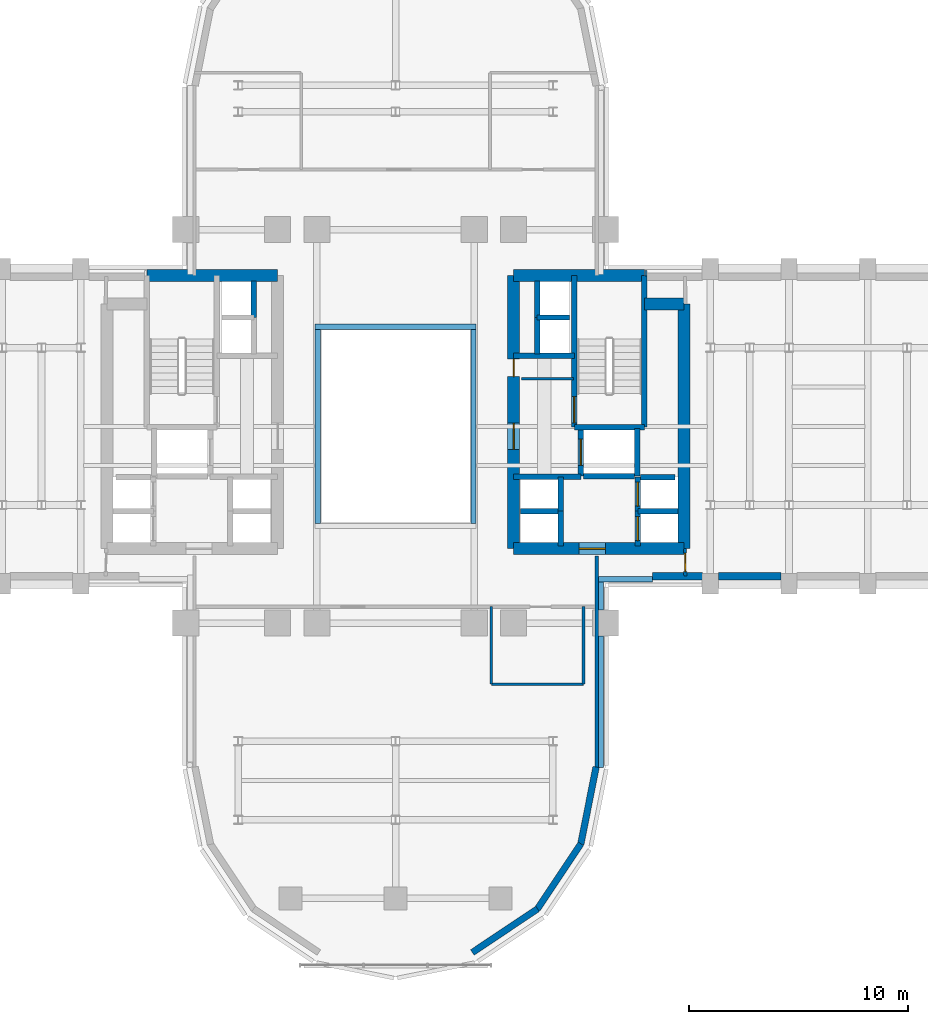
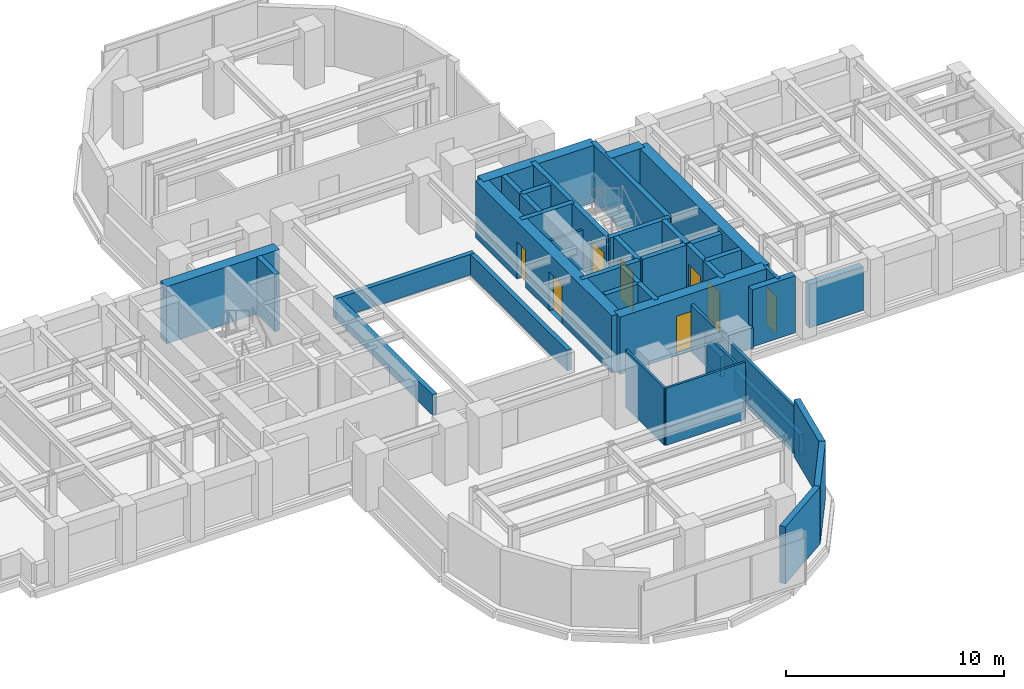
# One storey, part 11 of 16: 43 walls, 8 doors, 8 openings.
"""IFC4 building model written with IfcOpenShell, lengths in metres."""

from ifc_helpers import new_model, si_unit, direction, frame, frame_2d, origin, place, context, subcontext, project, spatial, rectangle, extrude, source, transform, mapped, material, layer, layer_set, type_object, element, fill, save


model = new_model("IFC4")

# Units and contexts
model_context = context("Model", 3, precision=1e-05, world=origin(), true_north=direction((0.0, 1.0)))
body_context = subcontext(model_context, "Body", "Model", "MODEL_VIEW")
ifc_project = project(units=[si_unit("LENGTHUNIT", "METRE"), si_unit("AREAUNIT", "SQUARE_METRE"), si_unit("VOLUMEUNIT", "CUBIC_METRE"), si_unit("PLANEANGLEUNIT", "RADIAN"), si_unit("MASSUNIT", "GRAM", prefix="KILO")], contexts=[model_context])

# Site, building, storey
site_placement = place(None, origin())
site = spatial("IfcSite", under=ifc_project, at=site_placement, CompositionType="ELEMENT")
building_placement = place(site_placement, origin())
building = spatial("IfcBuilding", under=site, at=building_placement, Name="Keilestroom Media Tower", CompositionType="ELEMENT")
storey_placement = place(building_placement, frame((0.0, 0.0, 64.60009765625)))
storey = spatial("IfcBuildingStorey", under=building, at=storey_placement, Name="L16", CompositionType="ELEMENT", Elevation=64.60009765625)

# Walls
ifc_material_1 = material(Name="Precast concrete C40/50", Category="concrete")
ifc_layer_1 = layer(ifc_material_1, 0.300048828125)
ifc_layer_set_1 = layer_set([ifc_layer_1], Name="Precast concrete C40/50")
wall_type_1 = type_object("IfcWallType", Name="Exterior-Masonry-Spandrel-Wall-300", PredefinedType="SOLIDWALL", material=ifc_layer_set_1)
wall_1_placement = place(storey_placement, frame((3.510009765625, -24.073486328125, 0.0), z_axis=(0.0, 0.0, 1.0), x_axis=(0.8314749531, 0.555562239868, 0.0)))
element("IfcWall", 1, at=wall_1_placement, inside=storey, type_object=wall_type_1, Name="L16 Lobe Facet Precast Frame Wall 10", PredefinedType="SOLIDWALL", context=body_context, shape_type="SweptSolid", body=[
    extrude(rectangle(XDim=3.59326171875, YDim=0.300048828125, at=frame_2d((1.796630859375, 0.0))), origin(), (0.0, 0.0, 1.0), 3.199951171875),
])
for number, where, z_axis, x_axis, name in (
    (2, (6.47705078125, -22.097900390625, 0.0), (0.0, 0.0, 1.0), (0.555574187116, 0.831466970246, 0.0), "L16 Lobe Facet Precast Frame Wall 11"),
    (3, (8.470703125, -19.12451171875, 0.0), (0.0, 0.0, 1.0), (0.195114232679, 0.980780523974, 0.0), "L16 Lobe Facet Precast Frame Wall 12"),
):
    element("IfcWall", number, at=place(storey_placement, frame(where, z_axis=z_axis, x_axis=x_axis)), inside=storey, type_object=wall_type_1, Name=name, PredefinedType="SOLIDWALL", context=body_context, shape_type="SweptSolid", body=[
        extrude(rectangle(XDim=3.608642578125, YDim=0.300048828125, at=frame_2d((1.80419921875, 0.0))), origin(), (0.0, 0.0, 1.0), 3.199951171875),
    ])
ifc_layer_2 = layer(ifc_material_1, 0.340087890625)
ifc_layer_set_2 = layer_set([ifc_layer_2], Name="Precast concrete C40/50")
wall_type_2 = type_object("IfcWallType", Name="Exterior-Masonry-Spandrel-Wall-340", PredefinedType="SOLIDWALL", material=ifc_layer_set_2)
wall_2_placement = place(storey_placement, frame((11.75, -6.85009765625, 0.0), z_axis=(0.0, 0.0, 1.0), x_axis=(1.0, 0.0, 0.0)))
element("IfcWall", 4, at=wall_2_placement, inside=storey, type_object=wall_type_2, Name="L16 Flank Masonry Wall EWL-L16-SE-1", PredefinedType="SOLIDWALL", context=body_context, shape_type="SweptSolid", body=[
    extrude(rectangle(XDim=2.282958984375, YDim=0.340087890625, at=frame_2d((1.1416015625, 0.0))), origin(), (0.0, 0.0, 1.0), 3.199951171875),
])
wall_3_placement = place(storey_placement, frame((14.76708984375, -6.85009765625, 0.0), z_axis=(0.0, 0.0, 1.0), x_axis=(1.0, 0.0, 0.0)))
element("IfcWall", 5, at=wall_3_placement, inside=storey, type_object=wall_type_2, Name="L16 Flank Masonry Wall EWL-L16-SE-2", PredefinedType="SOLIDWALL", context=body_context, shape_type="SweptSolid", body=[
    extrude(rectangle(XDim=2.865966796875, YDim=0.340087890625, at=frame_2d((1.43310546875, 0.0))), origin(), (0.0, 0.0, 1.0), 2.449951171875),
])
ifc_material_2 = material(Name="Gypsum Plasterboard & Steel Stud", Category="steel")
ifc_layer_3 = layer(ifc_material_2, 0.1201171875)
ifc_layer_set_3 = layer_set([ifc_layer_3], Name="Gypsum Plasterboard & Steel Stud")
wall_type_3 = type_object("IfcWallType", Name="Interior-Partition-Wall-120", PredefinedType="PARTITIONING", material=ifc_layer_set_3)
wall_4_placement = place(storey_placement, frame((5.75, 2.179931640625, 0.0), z_axis=(0.0, 0.0, 1.0), x_axis=(1.0, 0.0, 0.0)))
element("IfcWall", 6, at=wall_4_placement, inside=storey, type_object=wall_type_3, Name="L16 Interior Wall WP-L16-CIE-S", PredefinedType="PARTITIONING", context=body_context, shape_type="SweptSolid", body=[
    extrude(rectangle(XDim=2.389892578125, YDim=0.1201171875, at=frame_2d((1.19482421875, 0.0))), origin(), (0.0, 0.0, 1.0), 2.2998046875),
])
wall_5_placement = place(storey_placement, frame((4.3798828125, -11.800048828125, 0.0), z_axis=(0.0, 0.0, 1.0), x_axis=(1.0, 0.0, 0.0)))
element("IfcWall", 7, at=wall_5_placement, inside=storey, type_object=wall_type_3, Name="L16 Interior Wall WP-L16-SL-WC-S", PredefinedType="PARTITIONING", context=body_context, shape_type="SweptSolid", body=[
    extrude(rectangle(XDim=4.22021484375, YDim=0.1201171875, at=frame_2d((2.110107421875, 0.0))), origin(), (0.0, 0.0, 1.0), 3.199951171875),
])
wall_6_placement = place(storey_placement, frame((4.3798828125, -11.800048828125, 0.0), z_axis=(0.0, 0.0, 1.0), x_axis=(0.0, 1.0, 0.0)))
element("IfcWall", 8, at=wall_6_placement, inside=storey, type_object=wall_type_3, Name="L16 Interior Wall WP-L16-SL-WC-W", PredefinedType="PARTITIONING", context=body_context, shape_type="SweptSolid", body=[
    extrude(rectangle(XDim=3.550048828125, YDim=0.1201171875, at=frame_2d((1.77490234375, 0.0))), origin(), (0.0, 0.0, 1.0), 3.199951171875),
])
wall_7_placement = place(storey_placement, frame((8.60009765625, -11.800048828125, 0.0), z_axis=(0.0, 0.0, 1.0), x_axis=(0.0, 1.0, 0.0)))
element("IfcWall", 9, at=wall_7_placement, inside=storey, type_object=wall_type_3, Name="L16 Interior Wall WP-L16-SL-WC-E", PredefinedType="PARTITIONING", context=body_context, shape_type="SweptSolid", body=[
    extrude(rectangle(XDim=3.550048828125, YDim=0.1201171875, at=frame_2d((1.77490234375, 0.0))), origin(), (0.0, 0.0, 1.0), 2.64990234375),
])
ifc_layer_4 = layer(ifc_material_2, 0.14990234375)
ifc_layer_set_4 = layer_set([ifc_layer_4], Name="Gypsum Plasterboard & Steel Stud")
wall_type_4 = type_object("IfcWallType", Name="Interior-Partition-Wall-150", PredefinedType="PARTITIONING", material=ifc_layer_set_4)
wall_8_placement = place(storey_placement, frame((9.199951171875, -15.679931640625, 0.0), z_axis=(0.0, 0.0, 1.0), x_axis=(0.0, 1.0, 0.0)))
element("IfcWall", 10, at=wall_8_placement, inside=storey, type_object=wall_type_4, Name="L16 Interior Wall WP-L16-SL-CHKE", PredefinedType="PARTITIONING", context=body_context, shape_type="SweptSolid", body=[
    extrude(rectangle(XDim=9.739990234375, YDim=0.14990234375, at=frame_2d((4.8701171875, 0.0))), origin(), (0.0, 0.0, 1.0), 2.64990234375),
])

# Wall, opening, door
wall_9_placement = place(storey_placement, frame((13.260009765625, -6.85009765625, 0.0), z_axis=(0.0, 0.0, 1.0), x_axis=(-0.016013571389, 0.999871774545, 0.0)))
wall_9 = element("IfcWall", 11, at=wall_9_placement, inside=storey, type_object=wall_type_4, Name="L16 Interior Wall WP-L16-EA-ENTS", PredefinedType="PARTITIONING", context=body_context, shape_type="SweptSolid", body=[
    extrude(rectangle(XDim=1.250244140625, YDim=0.14990234375, at=frame_2d((0.625, 0.0))), origin(), (0.0, 0.0, 1.0), 3.199951171875),
])
opening_1_placement = place(wall_9_placement, frame((0.199951171875, 0.0, 0.0)))
opening_1 = element("IfcOpeningElement", 12, at=opening_1_placement, cuts=wall_9, Name="Opening DI-05", PredefinedType="OPENING", context=body_context, shape_type="SweptSolid", body=[
    extrude(rectangle(XDim=0.85009765625, YDim=2.10009765625, at=frame_2d((0.425048828125, 1.050048828125))), frame((0.0, 0.0849609375, 0.0), z_axis=(0.0, -1.0, 0.0), x_axis=(1.0, 0.0, 0.0)), (0.0, 0.0, 1.0), 0.169921875),
])
ifc_material_3 = material(Name="Moisture-Resistant Oak Leaf", Category="wood")
door_type_1 = type_object("IfcDoorType", Name="Interior-En-Suite-And-Cupboard-Door-DI-05", OperationType="NOTDEFINED", PredefinedType="DOOR", material=ifc_material_3)
shared_shape_1 = source(origin(), body_context, "Body", "SweptSolid", [
    extrude(rectangle(XDim=0.85009765625, YDim=2.10009765625, at=frame_2d((0.425048828125, 1.050048828125))), frame((0.0, 0.02490234375, 0.0), z_axis=(0.0, -1.0, 0.0), x_axis=(1.0, 0.0, 0.0)), (0.0, 0.0, 1.0), 0.050048828125),
])
door_1_placement = place(opening_1_placement, origin())
door_1 = element("IfcDoor", 13, at=door_1_placement, inside=storey, type_object=door_type_1, Name="L16 Interior Door DI-L16-DEA-S", OperationType="SINGLE_SWING_RIGHT", OverallHeight=2.10009765625, OverallWidth=0.85009765625, PredefinedType="DOOR", context=body_context, shape_type="MappedRepresentation", body=[
    mapped(shared_shape_1, transform((0.0, 0.0, 0.0), x_axis=(1.0, 0.0, 0.0), y_axis=(0.0, 1.0, 0.0), z_axis=(0.0, 0.0, 1.0), scale=1.0)),
])
fill(opening_1, door_1)

# Walls
ifc_material_4 = material(Name="Concrete C70/85", Category="concrete")
ifc_layer_5 = layer(ifc_material_4, 0.550048828125)
ifc_layer_set_5 = layer_set([ifc_layer_5], Name="Concrete C70/85")
wall_type_5 = type_object("IfcWallType", Name="Reinforced-Concrete-Core-Shear-Wall-550", PredefinedType="SHEAR", material=ifc_layer_set_5)
wall_10_placement = place(storey_placement, frame((-11.381103515625, 6.89990234375, 0.0), z_axis=(0.0, 0.0, 1.0), x_axis=(1.0, 0.0, 0.0)))
element("IfcWall", 14, at=wall_10_placement, inside=storey, type_object=wall_type_5, Name="L16 Core Shear Wall WL-L16-CORE-W-N", PredefinedType="SHEAR", context=body_context, shape_type="SweptSolid", body=[
    extrude(rectangle(XDim=5.981201171875, YDim=0.550048828125, at=frame_2d((2.99072265625, 0.0))), origin(), (0.0, 0.0, 1.0), 3.199951171875),
])
wall_11_placement = place(storey_placement, frame((13.199951171875, -5.60009765625, 0.0), z_axis=(0.0, 0.0, 1.0), x_axis=(0.0, 1.0, 0.0)))
element("IfcWall", 15, at=wall_11_placement, inside=storey, type_object=wall_type_5, Name="L16 Core Shear Wall WL-L16-CORE-E-OUT", PredefinedType="SHEAR", context=body_context, shape_type="SweptSolid", body=[
    extrude(rectangle(XDim=11.2001953125, YDim=0.550048828125, at=frame_2d((5.60009765625, 0.0))), origin(), (0.0, 0.0, 1.0), 3.199951171875),
])

# Wall, openings, doors
wall_12_placement = place(storey_placement, frame((5.39990234375, -5.60009765625, 0.0), z_axis=(0.0, 0.0, 1.0), x_axis=(0.0, 1.0, 0.0)))
wall_12 = element("IfcWall", 16, at=wall_12_placement, inside=storey, type_object=wall_type_5, Name="L16 Core Shear Wall WL-L16-CORE-E-IN", PredefinedType="SHEAR", context=body_context, shape_type="SweptSolid", body=[
    extrude(rectangle(XDim=12.5, YDim=0.550048828125, at=frame_2d((6.25, 0.0))), origin(), (0.0, 0.0, 1.0), 3.199951171875),
])
opening_2_placement = place(wall_12_placement, frame((4.550048828125, 0.0, 0.0)))
opening_2 = element("IfcOpeningElement", 17, at=opening_2_placement, cuts=wall_12, Name="Opening DI-02", PredefinedType="OPENING", context=body_context, shape_type="SweptSolid", body=[
    extrude(rectangle(XDim=1.199951171875, YDim=2.199951171875, at=frame_2d((0.60009765625, 1.10009765625))), frame((0.0, 0.28515625, 0.0), z_axis=(0.0, -1.0, 0.0), x_axis=(1.0, 0.0, 0.0)), (0.0, 0.0, 1.0), 0.570068359375),
])
opening_3_placement = place(wall_12_placement, frame((7.8798828125, 0.0, 0.0)))
opening_3 = element("IfcOpeningElement", 18, at=opening_3_placement, cuts=wall_12, Name="Opening DI-06", PredefinedType="OPENING", context=body_context, shape_type="SweptSolid", body=[
    extrude(rectangle(XDim=0.800048828125, YDim=2.10009765625, at=frame_2d((0.39990234375, 1.050048828125))), frame((0.0, 0.28515625, 0.0), z_axis=(0.0, -1.0, 0.0), x_axis=(1.0, 0.0, 0.0)), (0.0, 0.0, 1.0), 0.570068359375),
])
ifc_material_5 = material(Name="Powder-Coated Steel Fire Leaf", Category="steel")
door_type_2 = type_object("IfcDoorType", Name="Interior-Compartment-Fire-Door-DI-02", OperationType="NOTDEFINED", PredefinedType="DOOR", material=ifc_material_5)
shared_shape_2 = source(origin(), body_context, "Body", "SweptSolid", [
    extrude(rectangle(XDim=1.199951171875, YDim=2.199951171875, at=frame_2d((0.60009765625, 1.10009765625))), frame((0.0, 0.02490234375, 0.0), z_axis=(0.0, -1.0, 0.0), x_axis=(1.0, 0.0, 0.0)), (0.0, 0.0, 1.0), 0.050048828125),
])
door_2_placement = place(opening_2_placement, origin())
door_2 = element("IfcDoor", 19, at=door_2_placement, inside=storey, type_object=door_type_2, Name="L16 E Firefighting Lobby Door", OperationType="SINGLE_SWING_LEFT", OverallHeight=2.199951171875, OverallWidth=1.199951171875, PredefinedType="DOOR", context=body_context, shape_type="MappedRepresentation", body=[
    mapped(shared_shape_2, transform((0.0, 0.0, 0.0), x_axis=(1.0, 0.0, 0.0), y_axis=(0.0, 1.0, 0.0), z_axis=(0.0, 0.0, 1.0), scale=1.0)),
])
fill(opening_2, door_2)
ifc_material_6 = material(Name="Powder-Coated Steel Service Leaf", Category="steel")
door_type_3 = type_object("IfcDoorType", Name="Interior-Riser-Access-Door-DI-06", OperationType="NOTDEFINED", PredefinedType="DOOR", material=ifc_material_6)
shared_shape_3 = source(origin(), body_context, "Body", "SweptSolid", [
    extrude(rectangle(XDim=0.800048828125, YDim=2.10009765625, at=frame_2d((0.39990234375, 1.050048828125))), frame((0.0, 0.02490234375, 0.0), z_axis=(0.0, -1.0, 0.0), x_axis=(1.0, 0.0, 0.0)), (0.0, 0.0, 1.0), 0.050048828125),
])
door_3_placement = place(opening_3_placement, origin())
door_3 = element("IfcDoor", 20, at=door_3_placement, inside=storey, type_object=door_type_3, Name="L16 East Core Closet Door", OperationType="SINGLE_SWING_RIGHT", OverallHeight=2.10009765625, OverallWidth=0.800048828125, PredefinedType="DOOR", context=body_context, shape_type="MappedRepresentation", body=[
    mapped(shared_shape_3, transform((0.0, 0.0, 0.0), x_axis=(1.0, 0.0, 0.0), y_axis=(0.0, 1.0, 0.0), z_axis=(0.0, 0.0, 1.0), scale=1.0)),
])
fill(opening_3, door_3)

# Walls
wall_13_placement = place(storey_placement, frame((5.39990234375, 6.89990234375, 0.0), z_axis=(0.0, 0.0, 1.0), x_axis=(1.0, 0.0, 0.0)))
element("IfcWall", 21, at=wall_13_placement, inside=storey, type_object=wall_type_5, Name="L16 Core Shear Wall WL-L16-CORE-E-N", PredefinedType="SHEAR", context=body_context, shape_type="SweptSolid", body=[
    extrude(rectangle(XDim=5.981201171875, YDim=0.550048828125, at=frame_2d((2.99072265625, 0.0))), origin(), (0.0, 0.0, 1.0), 3.199951171875),
])
wall_14_placement = place(storey_placement, frame((11.381103515625, 5.60009765625, 0.0), z_axis=(0.0, 0.0, 1.0), x_axis=(1.0, 0.0, 0.0)))
element("IfcWall", 22, at=wall_14_placement, inside=storey, type_object=wall_type_5, Name="L16 Core Shear Wall WL-L16-CNE-N", PredefinedType="SHEAR", context=body_context, shape_type="SweptSolid", body=[
    extrude(rectangle(XDim=1.81884765625, YDim=0.550048828125, at=frame_2d((0.909423828125, 0.0))), origin(), (0.0, 0.0, 1.0), 3.199951171875),
])

# Wall, opening, door
wall_15_placement = place(storey_placement, frame((5.39990234375, -5.60009765625, 0.0), z_axis=(0.0, 0.0, 1.0), x_axis=(1.0, 0.0, 0.0)))
wall_15 = element("IfcWall", 23, at=wall_15_placement, inside=storey, type_object=wall_type_5, Name="L16 Core Shear Wall WL-L16-CORE-E-S", PredefinedType="SHEAR", context=body_context, shape_type="SweptSolid", body=[
    extrude(rectangle(XDim=7.800048828125, YDim=0.550048828125, at=frame_2d((3.89990234375, 0.0))), origin(), (0.0, 0.0, 1.0), 3.199951171875),
])
opening_4_placement = place(wall_15_placement, frame((3.0, 0.0, 0.0)))
opening_4 = element("IfcOpeningElement", 24, at=opening_4_placement, cuts=wall_15, Name="Opening DI-02", PredefinedType="OPENING", context=body_context, shape_type="SweptSolid", body=[
    extrude(rectangle(XDim=1.199951171875, YDim=2.199951171875, at=frame_2d((0.60009765625, 1.10009765625))), frame((0.0, 0.28515625, 0.0), z_axis=(0.0, -1.0, 0.0), x_axis=(1.0, 0.0, 0.0)), (0.0, 0.0, 1.0), 0.570068359375),
])
door_4_placement = place(opening_4_placement, origin())
door_4 = element("IfcDoor", 25, at=door_4_placement, inside=storey, type_object=door_type_2, Name="L16 E Passenger Lift Lobby Door", OperationType="SINGLE_SWING_RIGHT", OverallHeight=2.199951171875, OverallWidth=1.199951171875, PredefinedType="DOOR", context=body_context, shape_type="MappedRepresentation", body=[
    mapped(shared_shape_2, transform((0.0, 0.0, 0.0), x_axis=(1.0, 0.0, 0.0), y_axis=(0.0, 1.0, 0.0), z_axis=(0.0, 0.0, 1.0), scale=1.0)),
])
fill(opening_4, door_4)

# Walls
ifc_material_7 = material(Name="Concrete C50/60", Category="concrete")
ifc_layer_6 = layer(ifc_material_7, 0.25)
ifc_layer_set_6 = layer_set([ifc_layer_6], Name="Concrete C50/60")
wall_type_6 = type_object("IfcWallType", Name="Reinforced-Concrete-Shaft-Wall-250", PredefinedType="SOLIDWALL", material=ifc_layer_set_6)
wall_16_placement = place(storey_placement, frame((5.39990234375, 3.219970703125, 0.0), z_axis=(0.0, 0.0, 1.0), x_axis=(1.0, 0.0, 0.0)))
element("IfcWall", 26, at=wall_16_placement, inside=storey, type_object=wall_type_6, Name="L16 Core Shear Wall WL-L16-CORE-E-FFN", PredefinedType="SOLIDWALL", context=body_context, shape_type="SweptSolid", body=[
    extrude(rectangle(XDim=2.780029296875, YDim=0.25, at=frame_2d((1.39013671875, 0.0))), origin(), (0.0, 0.0, 1.0), 3.199951171875),
])
wall_17_placement = place(storey_placement, frame((5.39990234375, -2.300048828125, 0.0), z_axis=(0.0, 0.0, 1.0), x_axis=(1.0, 0.0, 0.0)))
element("IfcWall", 27, at=wall_17_placement, inside=storey, type_object=wall_type_6, Name="L16 Core Shear Wall WL-L16-CORE-E-FFS", PredefinedType="SOLIDWALL", context=body_context, shape_type="SweptSolid", body=[
    extrude(rectangle(XDim=3.080078125, YDim=0.25, at=frame_2d((1.5400390625, 0.0))), origin(), (0.0, 0.0, 1.0), 3.199951171875),
])

# Wall, opening, door
wall_18_placement = place(storey_placement, frame((8.178955078125, -0.041015625, 0.0), z_axis=(0.0, 0.0, 1.0), x_axis=(0.0, 1.0, 0.0)))
wall_18 = element("IfcWall", 28, at=wall_18_placement, inside=storey, type_object=wall_type_6, Name="L16 Core Shear Wall WL-L16-STW-E-NEAR", PredefinedType="SOLIDWALL", context=body_context, shape_type="SweptSolid", body=[
    extrude(rectangle(XDim=6.94091796875, YDim=0.25, at=frame_2d((3.470458984375, 0.0))), origin(), (0.0, 0.0, 1.0), 3.199951171875),
])
opening_5_placement = place(wall_18_placement, frame((0.199951171875, 0.0, 0.0)))
opening_5 = element("IfcOpeningElement", 29, at=opening_5_placement, cuts=wall_18, Name="Opening DI-01S", PredefinedType="OPENING", context=body_context, shape_type="SweptSolid", body=[
    extrude(rectangle(XDim=1.199951171875, YDim=2.199951171875, at=frame_2d((0.60009765625, 1.10009765625))), frame((0.0, 0.135009765625, 0.0), z_axis=(0.0, -1.0, 0.0), x_axis=(1.0, 0.0, 0.0)), (0.0, 0.0, 1.0), 0.27001953125),
])
door_type_4 = type_object("IfcDoorType", Name="Interior-Stair-And-Core-Fire-Door-DI-01", OperationType="NOTDEFINED", PredefinedType="DOOR", material=ifc_material_5)
door_5_placement = place(opening_5_placement, origin())
door_5 = element("IfcDoor", 30, at=door_5_placement, inside=storey, type_object=door_type_4, Name="L16 Escape Stair ST-2 Fire Door", OperationType="SINGLE_SWING_RIGHT", OverallHeight=2.199951171875, OverallWidth=1.199951171875, PredefinedType="DOOR", context=body_context, shape_type="MappedRepresentation", body=[
    mapped(shared_shape_2, transform((0.0, 0.0, 0.0), x_axis=(1.0, 0.0, 0.0), y_axis=(0.0, 1.0, 0.0), z_axis=(0.0, 0.0, 1.0), scale=1.0)),
])
fill(opening_5, door_5)

# Walls
wall_19_placement = place(storey_placement, frame((11.381103515625, -0.041015625, 0.0), z_axis=(0.0, 0.0, 1.0), x_axis=(0.0, 1.0, 0.0)))
element("IfcWall", 31, at=wall_19_placement, inside=storey, type_object=wall_type_6, Name="L16 Core Shear Wall WL-L16-STW-E-FAR", PredefinedType="SOLIDWALL", context=body_context, shape_type="SweptSolid", body=[
    extrude(rectangle(XDim=6.94091796875, YDim=0.25, at=frame_2d((3.470458984375, 0.0))), origin(), (0.0, 0.0, 1.0), 3.199951171875),
])
wall_20_placement = place(storey_placement, frame((8.178955078125, -0.041015625, 0.0), z_axis=(0.0, 0.0, 1.0), x_axis=(1.0, 0.0, 0.0)))
element("IfcWall", 32, at=wall_20_placement, inside=storey, type_object=wall_type_6, Name="L16 Core Shear Wall WL-L16-STW-E-S", PredefinedType="SOLIDWALL", context=body_context, shape_type="SweptSolid", body=[
    extrude(rectangle(XDim=3.2021484375, YDim=0.25, at=frame_2d((1.60107421875, 0.0))), origin(), (0.0, 0.0, 1.0), 3.199951171875),
])

# Wall, opening, door
wall_21_placement = place(storey_placement, frame((8.47998046875, -2.280029296875, 0.0), z_axis=(0.0, 0.0, 1.0), x_axis=(0.0, 1.0, 0.0)))
wall_21 = element("IfcWall", 33, at=wall_21_placement, inside=storey, type_object=wall_type_6, Name="L16 Core Shear Wall WL-L16-LSH-FFL-2-W", PredefinedType="SOLIDWALL", context=body_context, shape_type="SweptSolid", body=[
    extrude(rectangle(XDim=2.179931640625, YDim=0.25, at=frame_2d((1.08984375, 0.0))), origin(), (0.0, 0.0, 1.0), 3.199951171875),
])
opening_6_placement = place(wall_21_placement, frame((0.489990234375, 0.0, 0.0)))
opening_6 = element("IfcOpeningElement", 34, at=opening_6_placement, cuts=wall_21, Name="Opening LD-02", PredefinedType="OPENING", context=body_context, shape_type="SweptSolid", body=[
    extrude(rectangle(XDim=1.199951171875, YDim=2.199951171875, at=frame_2d((0.60009765625, 1.10009765625))), frame((0.0, 0.135009765625, 0.0), z_axis=(0.0, -1.0, 0.0), x_axis=(1.0, 0.0, 0.0)), (0.0, 0.0, 1.0), 0.27001953125),
])
ifc_material_8 = material(Name="Brushed Stainless Steel Sliding Leaf", Category="steel")
door_type_5 = type_object("IfcDoorType", Name="Lift-Landing-Sliding-Door-LD-02", OperationType="SLIDING_TO_RIGHT", PredefinedType="DOOR", material=ifc_material_8)
door_6_placement = place(opening_6_placement, origin())
door_6 = element("IfcDoor", 35, at=door_6_placement, inside=storey, type_object=door_type_5, Name="L16 Lift FFL-2 Landing Sliding Door", OperationType="SLIDING_TO_RIGHT", OverallHeight=2.199951171875, OverallWidth=1.199951171875, PredefinedType="DOOR", context=body_context, shape_type="MappedRepresentation", body=[
    mapped(shared_shape_2, transform((0.0, 0.0, 0.0), x_axis=(1.0, 0.0, 0.0), y_axis=(0.0, 1.0, 0.0), z_axis=(0.0, 0.0, 1.0), scale=1.0)),
])
fill(opening_6, door_6)

# Walls
wall_22_placement = place(storey_placement, frame((11.050048828125, -2.280029296875, 0.0), z_axis=(0.0, 0.0, 1.0), x_axis=(0.0, 1.0, 0.0)))
element("IfcWall", 36, at=wall_22_placement, inside=storey, type_object=wall_type_6, Name="L16 Core Shear Wall WL-L16-LSH-FFL-2-E", PredefinedType="SOLIDWALL", context=body_context, shape_type="SweptSolid", body=[
    extrude(rectangle(XDim=2.179931640625, YDim=0.25, at=frame_2d((1.08984375, 0.0))), origin(), (0.0, 0.0, 1.0), 3.199951171875),
])
wall_23_placement = place(storey_placement, frame((8.60888671875, -2.280029296875, 0.0), z_axis=(0.0, 0.0, 1.0), x_axis=(1.0, 0.0, 0.0)))
element("IfcWall", 37, at=wall_23_placement, inside=storey, type_object=wall_type_6, Name="L16 Core Shear Wall WL-L16-LSH-FFL-2-S", PredefinedType="SOLIDWALL", context=body_context, shape_type="SweptSolid", body=[
    extrude(rectangle(XDim=2.31201171875, YDim=0.25, at=frame_2d((1.156005859375, 0.0))), origin(), (0.0, 0.0, 1.0), 3.199951171875),
])

# Wall, opening, door
wall_24_placement = place(storey_placement, frame((11.080078125, -5.47998046875, 0.0), z_axis=(0.0, 0.0, 1.0), x_axis=(0.0, 1.0, 0.0)))
wall_24 = element("IfcWall", 38, at=wall_24_placement, inside=storey, type_object=wall_type_6, Name="L16 Core Shear Wall WL-L16-LSH-PL-L3-W", PredefinedType="SOLIDWALL", context=body_context, shape_type="SweptSolid", body=[
    extrude(rectangle(XDim=1.60009765625, YDim=0.25, at=frame_2d((0.800048828125, 0.0))), origin(), (0.0, 0.0, 1.0), 3.199951171875),
])
opening_7_placement = place(wall_24_placement, frame((0.25, 0.0, 0.0)))
opening_7 = element("IfcOpeningElement", 39, at=opening_7_placement, cuts=wall_24, Name="Opening LD-01", PredefinedType="OPENING", context=body_context, shape_type="SweptSolid", body=[
    extrude(rectangle(XDim=1.10009765625, YDim=2.199951171875, at=frame_2d((0.550048828125, 1.10009765625))), frame((0.0, 0.135009765625, 0.0), z_axis=(0.0, -1.0, 0.0), x_axis=(1.0, 0.0, 0.0)), (0.0, 0.0, 1.0), 0.27001953125),
])
door_type_6 = type_object("IfcDoorType", Name="Lift-Landing-Sliding-Door-LD-01", OperationType="SLIDING_TO_LEFT", PredefinedType="DOOR", material=ifc_material_8)
shared_shape_4 = source(origin(), body_context, "Body", "SweptSolid", [
    extrude(rectangle(XDim=1.10009765625, YDim=2.199951171875, at=frame_2d((0.550048828125, 1.10009765625))), frame((0.0, 0.02490234375, 0.0), z_axis=(0.0, -1.0, 0.0), x_axis=(1.0, 0.0, 0.0)), (0.0, 0.0, 1.0), 0.050048828125),
])
door_7_placement = place(opening_7_placement, origin())
door_7 = element("IfcDoor", 40, at=door_7_placement, inside=storey, type_object=door_type_6, Name="L16 Lift PL-L3 Landing Sliding Door", OperationType="SLIDING_TO_LEFT", OverallHeight=2.199951171875, OverallWidth=1.10009765625, PredefinedType="DOOR", context=body_context, shape_type="MappedRepresentation", body=[
    mapped(shared_shape_4, transform((0.0, 0.0, 0.0), x_axis=(1.0, 0.0, 0.0), y_axis=(0.0, 1.0, 0.0), z_axis=(0.0, 0.0, 1.0), scale=1.0)),
])
fill(opening_7, door_7)

# Wall
wall_25_placement = place(storey_placement, frame((11.080078125, -3.8798828125, 0.0), z_axis=(0.0, 0.0, 1.0), x_axis=(1.0, 0.0, 0.0)))
element("IfcWall", 41, at=wall_25_placement, inside=storey, type_object=wall_type_6, Name="L16 Core Shear Wall WL-L16-LSH-PL-L3-N", PredefinedType="SOLIDWALL", context=body_context, shape_type="SweptSolid", body=[
    extrude(rectangle(XDim=1.83984375, YDim=0.25, at=frame_2d((0.919921875, 0.0))), origin(), (0.0, 0.0, 1.0), 3.199951171875),
])

# Wall, opening, door
wall_26_placement = place(storey_placement, frame((11.080078125, -3.8798828125, 0.0), z_axis=(0.0, 0.0, 1.0), x_axis=(0.0, 1.0, 0.0)))
wall_26 = element("IfcWall", 42, at=wall_26_placement, inside=storey, type_object=wall_type_6, Name="L16 Core Shear Wall WL-L16-LSH-PL-L4-W", PredefinedType="SOLIDWALL", context=body_context, shape_type="SweptSolid", body=[
    extrude(rectangle(XDim=1.559814453125, YDim=0.25, at=frame_2d((0.77978515625, 0.0))), origin(), (0.0, 0.0, 1.0), 3.199951171875),
])
opening_8_placement = place(wall_26_placement, frame((0.22998046875, 0.0, 0.0)))
opening_8 = element("IfcOpeningElement", 43, at=opening_8_placement, cuts=wall_26, Name="Opening LD-01", PredefinedType="OPENING", context=body_context, shape_type="SweptSolid", body=[
    extrude(rectangle(XDim=1.10009765625, YDim=2.199951171875, at=frame_2d((0.550048828125, 1.10009765625))), frame((0.0, 0.135009765625, 0.0), z_axis=(0.0, -1.0, 0.0), x_axis=(1.0, 0.0, 0.0)), (0.0, 0.0, 1.0), 0.27001953125),
])
door_8_placement = place(opening_8_placement, origin())
door_8 = element("IfcDoor", 44, at=door_8_placement, inside=storey, type_object=door_type_6, Name="L16 Lift PL-L4 Landing Sliding Door", OperationType="SLIDING_TO_LEFT", OverallHeight=2.199951171875, OverallWidth=1.10009765625, PredefinedType="DOOR", context=body_context, shape_type="MappedRepresentation", body=[
    mapped(shared_shape_4, transform((0.0, 0.0, 0.0), x_axis=(1.0, 0.0, 0.0), y_axis=(0.0, 1.0, 0.0), z_axis=(0.0, 0.0, 1.0), scale=1.0)),
])
fill(opening_8, door_8)

# Walls
wall_27_placement = place(storey_placement, frame((11.208984375, -2.320068359375, 0.0), z_axis=(0.0, 0.0, 1.0), x_axis=(1.0, 0.0, 0.0)))
element("IfcWall", 45, at=wall_27_placement, inside=storey, type_object=wall_type_6, Name="L16 Core Shear Wall WL-L16-LSH-PL-L4-N", PredefinedType="SOLIDWALL", context=body_context, shape_type="SweptSolid", body=[
    extrude(rectangle(XDim=1.58203125, YDim=0.25, at=frame_2d((0.791015625, 0.0))), origin(), (0.0, 0.0, 1.0), 3.199951171875),
])
wall_28_placement = place(storey_placement, frame((7.56005859375, -5.47998046875, 0.0), z_axis=(0.0, 0.0, 1.0), x_axis=(0.0, 1.0, 0.0)))
element("IfcWall", 46, at=wall_28_placement, inside=storey, type_object=wall_type_6, Name="L16 Core Shear Wall WL-L16-LSH-PL-M3-E", PredefinedType="SOLIDWALL", context=body_context, shape_type="SweptSolid", body=[
    extrude(rectangle(XDim=1.60009765625, YDim=0.25, at=frame_2d((0.800048828125, 0.0))), origin(), (0.0, 0.0, 1.0), 3.199951171875),
])
wall_29_placement = place(storey_placement, frame((5.719970703125, -3.8798828125, 0.0), z_axis=(0.0, 0.0, 1.0), x_axis=(1.0, 0.0, 0.0)))
element("IfcWall", 47, at=wall_29_placement, inside=storey, type_object=wall_type_6, Name="L16 Core Shear Wall WL-L16-LSH-PL-M3-N", PredefinedType="SOLIDWALL", context=body_context, shape_type="SweptSolid", body=[
    extrude(rectangle(XDim=1.840087890625, YDim=0.25, at=frame_2d((0.919921875, 0.0))), origin(), (0.0, 0.0, 1.0), 3.199951171875),
])
wall_30_placement = place(storey_placement, frame((7.56005859375, -3.8798828125, 0.0), z_axis=(0.0, 0.0, 1.0), x_axis=(0.0, 1.0, 0.0)))
element("IfcWall", 48, at=wall_30_placement, inside=storey, type_object=wall_type_6, Name="L16 Core Shear Wall WL-L16-LSH-PL-M4-E", PredefinedType="SOLIDWALL", context=body_context, shape_type="SweptSolid", body=[
    extrude(rectangle(XDim=1.559814453125, YDim=0.25, at=frame_2d((0.77978515625, 0.0))), origin(), (0.0, 0.0, 1.0), 3.199951171875),
])
wall_31_placement = place(storey_placement, frame((-6.47998046875, 4.97998046875, 0.0), z_axis=(0.0, 0.0, 1.0), x_axis=(0.0, 1.0, 0.0)))
element("IfcWall", 49, at=wall_31_placement, inside=storey, type_object=wall_type_6, Name="L16 Core Shear Wall WL-L16-LSH-PL-H2-E", PredefinedType="SOLIDWALL", context=body_context, shape_type="SweptSolid", body=[
    extrude(rectangle(XDim=1.669921875, YDim=0.25, at=frame_2d((0.8349609375, 0.0))), origin(), (0.0, 0.0, 1.0), 3.199951171875),
])
wall_32_placement = place(storey_placement, frame((6.47998046875, 3.300048828125, 0.0), z_axis=(0.0, 0.0, 1.0), x_axis=(0.0, 1.0, 0.0)))
element("IfcWall", 50, at=wall_32_placement, inside=storey, type_object=wall_type_6, Name="L16 Core Shear Wall WL-L16-LSH-PL-H3-W", PredefinedType="SOLIDWALL", context=body_context, shape_type="SweptSolid", body=[
    extrude(rectangle(XDim=1.679931640625, YDim=0.25, at=frame_2d((0.83984375, 0.0))), origin(), (0.0, 0.0, 1.0), 3.199951171875),
])
wall_33_placement = place(storey_placement, frame((6.47998046875, 4.97998046875, 0.0), z_axis=(0.0, 0.0, 1.0), x_axis=(1.0, 0.0, 0.0)))
element("IfcWall", 51, at=wall_33_placement, inside=storey, type_object=wall_type_6, Name="L16 Core Shear Wall WL-L16-LSH-PL-H3-N", PredefinedType="SOLIDWALL", context=body_context, shape_type="SweptSolid", body=[
    extrude(rectangle(XDim=1.469970703125, YDim=0.25, at=frame_2d((0.73486328125, 0.0))), origin(), (0.0, 0.0, 1.0), 3.199951171875),
])
wall_34_placement = place(storey_placement, frame((6.47998046875, 4.97998046875, 0.0), z_axis=(0.0, 0.0, 1.0), x_axis=(0.0, 1.0, 0.0)))
element("IfcWall", 52, at=wall_34_placement, inside=storey, type_object=wall_type_6, Name="L16 Core Shear Wall WL-L16-LSH-PL-H4-W", PredefinedType="SOLIDWALL", context=body_context, shape_type="SweptSolid", body=[
    extrude(rectangle(XDim=1.669921875, YDim=0.25, at=frame_2d((0.8349609375, 0.0))), origin(), (0.0, 0.0, 1.0), 3.199951171875),
])
ifc_layer_7 = layer(ifc_material_1, 0.239990234375)
ifc_layer_set_7 = layer_set([ifc_layer_7], Name="Precast concrete C40/50")
wall_type_7 = type_object("IfcWallType", Name="Roof-And-Terrace-Parapet-Wall-240", PredefinedType="PARAPET", material=ifc_layer_set_7)
wall_35_placement = place(storey_placement, frame((11.7470703125, -7.0, 0.0), z_axis=(0.0, 0.0, 1.0), x_axis=(-1.0, 0.0, 0.0)))
element("IfcWall", 53, at=wall_35_placement, inside=storey, type_object=wall_type_7, Name="L16 Perimeter Edge Parapet Wall 06", PredefinedType="PARAPET", context=body_context, shape_type="SweptSolid", body=[
    extrude(rectangle(XDim=2.468994140625, YDim=0.239990234375, at=frame_2d((1.234375, 0.0))), origin(), (0.0, 0.0, 1.0), 1.14990234375),
])
wall_36_placement = place(storey_placement, frame((9.39990234375, -7.123046875, 0.0), z_axis=(0.0, 0.0, 1.0), x_axis=(0.0, -1.0, 0.0)))
element("IfcWall", 54, at=wall_36_placement, inside=storey, type_object=wall_type_7, Name="L16 Perimeter Edge Parapet Wall 07", PredefinedType="PARAPET", context=body_context, shape_type="SweptSolid", body=[
    extrude(rectangle(XDim=1.27392578125, YDim=0.239990234375, at=frame_2d((0.636962890625, 0.0))), origin(), (0.0, 0.0, 1.0), 1.14990234375),
])
wall_37_placement = place(storey_placement, frame((9.39990234375, -9.60302734375, 0.0), z_axis=(0.0, 0.0, 1.0), x_axis=(0.0, -1.0, 0.0)))
element("IfcWall", 55, at=wall_37_placement, inside=storey, type_object=wall_type_7, Name="L16 Perimeter Edge Parapet Wall 08", PredefinedType="PARAPET", context=body_context, shape_type="SweptSolid", body=[
    extrude(rectangle(XDim=5.999755859375, YDim=0.239990234375, at=frame_2d((3.0, 0.0))), origin(), (0.0, 0.0, 1.0), 1.14990234375),
])
wall_38_placement = place(storey_placement, frame((11.403076171875, 7.0, 0.0), z_axis=(0.0, 0.0, 1.0), x_axis=(1.0, 0.0, 0.0)))
element("IfcWall", 56, at=wall_38_placement, inside=storey, type_object=wall_type_7, Name="L16 Perimeter Edge Parapet Wall 31", PredefinedType="PARAPET", context=body_context, shape_type="SweptSolid", body=[
    extrude(rectangle(XDim=0.092041015625, YDim=0.239990234375, at=frame_2d((0.0458984375, 0.0))), origin(), (0.0, 0.0, 1.0), 1.14990234375),
])
wall_39_placement = place(storey_placement, frame((-3.679931640625, 4.56005859375, 0.0), z_axis=(0.0, 0.0, 1.0), x_axis=(1.0, 0.0, 0.0)))
element("IfcWall", 57, at=wall_39_placement, inside=storey, type_object=wall_type_7, Name="L16 Central Atrium Guard Parapet N", PredefinedType="PARAPET", context=body_context, shape_type="SweptSolid", body=[
    extrude(rectangle(XDim=7.35986328125, YDim=0.239990234375, at=frame_2d((3.679931640625, 0.0))), origin(), (0.0, 0.0, 1.0), 1.14990234375),
])
for number, where, z_axis, x_axis, name in (
    (58, (-3.56005859375, -4.43505859375, 0.0), (0.0, 0.0, 1.0), (0.0, 1.0, 0.0), "L16 Central Atrium Guard Parapet W"),
    (59, (3.56005859375, -4.43505859375, 0.0), (0.0, 0.0, 1.0), (0.0, 1.0, 0.0), "L16 Central Atrium Guard Parapet E"),
):
    element("IfcWall", number, at=place(storey_placement, frame(where, z_axis=z_axis, x_axis=x_axis)), inside=storey, type_object=wall_type_7, Name=name, PredefinedType="PARAPET", context=body_context, shape_type="SweptSolid", body=[
        extrude(rectangle(XDim=8.8701171875, YDim=0.239990234375, at=frame_2d((4.43505859375, 0.0))), origin(), (0.0, 0.0, 1.0), 1.14990234375),
    ])

save(model, "model.ifc")
